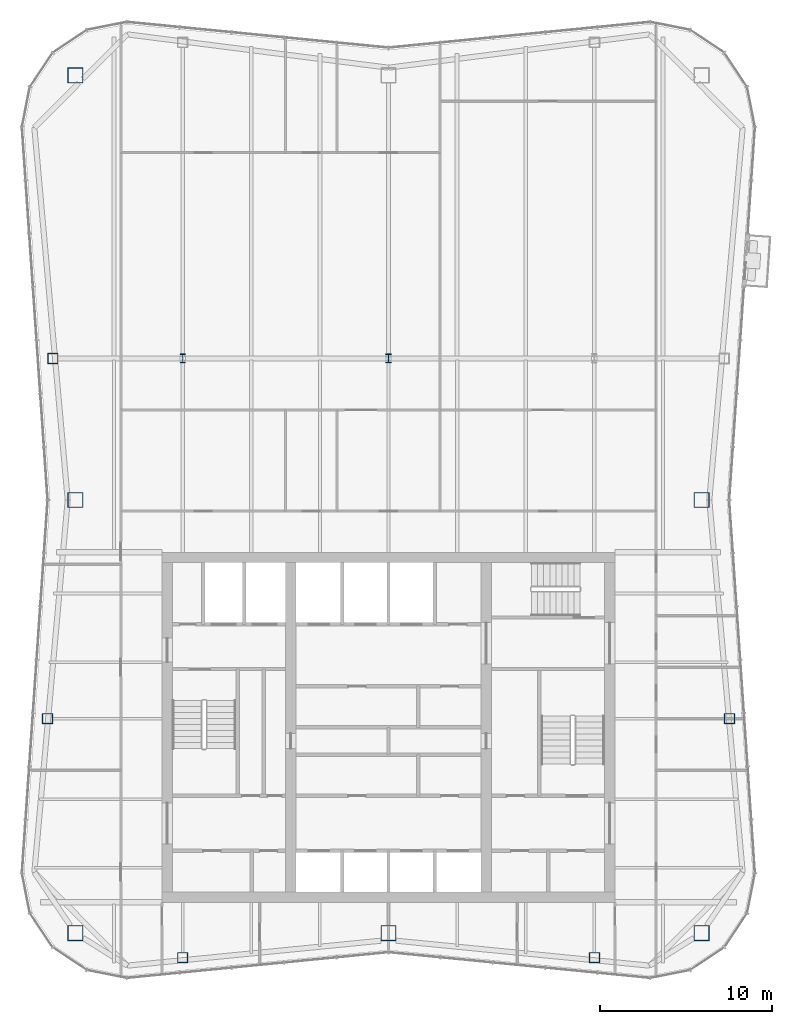
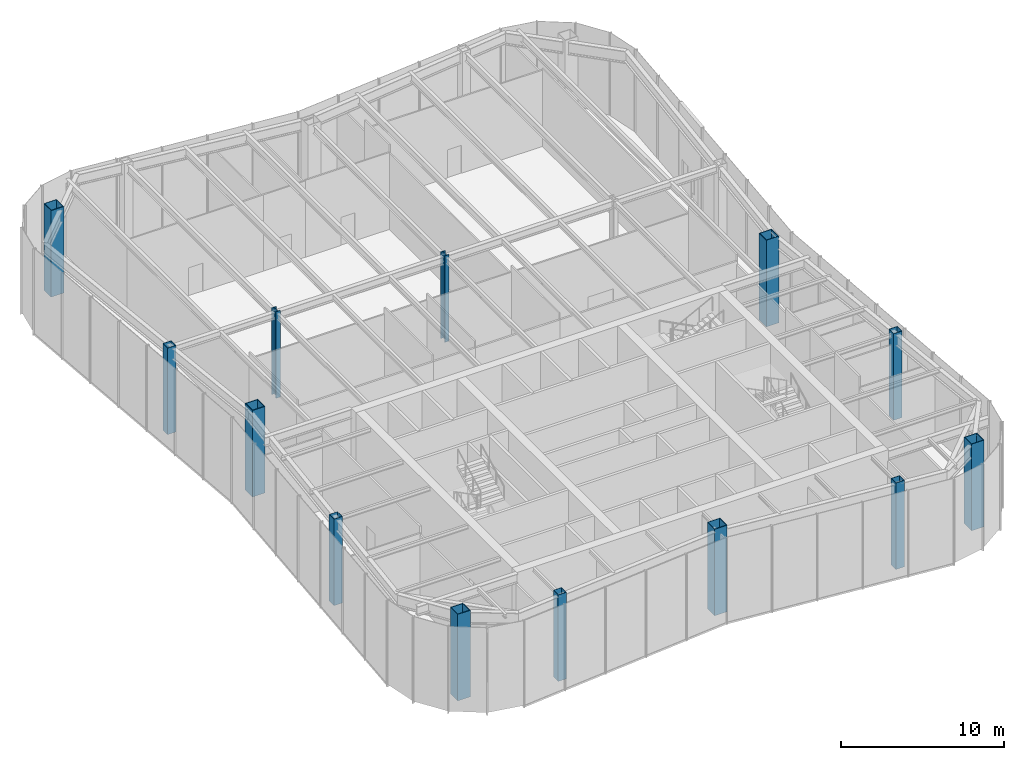
# One storey, part 1 of 15: 13 columns.
"""IFC4 building model written with IfcOpenShell, lengths in metres."""

from ifc_helpers import new_model, si_unit, direction, frame, origin, origin_2d, place, context, subcontext, project, spatial, hollow_rectangle, i_section, extrude, material, material_profile, profile_set, type_object, element, save


model = new_model("IFC4")

# Units and contexts
model_context = context("Model", 3, precision=1e-05, world=origin(), true_north=direction((0.0, 1.0)))
body_context = subcontext(model_context, "Body", "Model", "MODEL_VIEW")
ifc_project = project(units=[si_unit("LENGTHUNIT", "METRE"), si_unit("AREAUNIT", "SQUARE_METRE"), si_unit("VOLUMEUNIT", "CUBIC_METRE"), si_unit("PLANEANGLEUNIT", "RADIAN"), si_unit("MASSUNIT", "GRAM", prefix="KILO")], contexts=[model_context])

# Site, building, storey
site_placement = place(None, origin())
site = spatial("IfcSite", under=ifc_project, at=site_placement, CompositionType="ELEMENT")
building_placement = place(site_placement, origin())
building = spatial("IfcBuilding", under=site, at=building_placement, Name="Verdant Reach Tower", CompositionType="ELEMENT")
storey_placement = place(building_placement, frame((0.0, 0.0, 334.0)))
storey = spatial("IfcBuildingStorey", under=building, at=storey_placement, Name="L77", CompositionType="ELEMENT", Elevation=334.0)

# Columns
ifc_material = material(Name="Steel S460", Category="steel")
ifc_material_profile_1 = material_profile(ifc_material, i_section(OverallWidth=0.305908203125, OverallDepth=0.52392578125, WebThickness=0.012451171875, FlangeThickness=0.0400390625, FilletRadius=0.027099609375, at=origin_2d()), Name="HEM 500")
ifc_profile_set_1 = profile_set([ifc_material_profile_1], Name="Steel S460")
column_type_1 = type_object("IfcColumnType", Name="ST-COL-HEM500", PredefinedType="COLUMN", material=ifc_profile_set_1)
for number, where, z_axis, x_axis, name in (
    (1, (-12.0, 49.5, 0.0), (0.0, 0.0, 1.0), (1.0, 0.0, 0.0), "Interior column 1, L77"),
    (2, (0.0, 49.5, 0.0), (0.0, 0.0, 1.0), (1.0, 0.0, 0.0), "Interior column 2, L77"),
):
    element("IfcColumn", number, at=place(storey_placement, frame(where, z_axis=z_axis, x_axis=x_axis)), inside=storey, type_object=column_type_1, Name=name, PredefinedType="COLUMN", context=body_context, shape_type="SweptSolid", body=[
        extrude(i_section(OverallWidth=0.305908203125, OverallDepth=0.52392578125, WebThickness=0.012451171875, FlangeThickness=0.0400390625, FilletRadius=0.027099609375, at=origin_2d()), origin(), (0.0, 0.0, 1.0), 6.5),
    ])
ifc_material_profile_2 = material_profile(ifc_material, hollow_rectangle(XDim=0.60009765625, YDim=0.60009765625, WallThickness=0.02490234375, at=origin_2d()), Name="WB 600x600x25")
ifc_profile_set_2 = profile_set([ifc_material_profile_2], Name="Steel S460")
column_type_2 = type_object("IfcColumnType", Name="ST-COL-WB600x600x25", PredefinedType="COLUMN", material=ifc_profile_set_2)
for number, where, z_axis, x_axis, name in (
    (3, (-12.0, 14.569580078125, 0.0), (0.0, 0.0, 1.0), (1.0, 0.0, 0.0), "Perimeter column south 1, L77"),
    (4, (12.0, 14.569580078125, 0.0), (0.0, 0.0, 1.0), (1.0, 0.0, 0.0), "Perimeter column south 2, L77"),
    (5, (19.87939453125, 28.5, 0.0), (0.0, 0.0, 1.0), (1.0, 0.0, 0.0), "Perimeter column east 1, L77"),
    (6, (-19.87939453125, 28.5, 0.0), (0.0, 0.0, 1.0), (1.0, 0.0, 0.0), "Perimeter column west 1, L77"),
    (7, (-19.569091796875, 49.5, 0.0), (0.0, 0.0, 1.0), (1.0, 0.0, 0.0), "Perimeter column west 2, L77"),
):
    element("IfcColumn", number, at=place(storey_placement, frame(where, z_axis=z_axis, x_axis=x_axis)), inside=storey, type_object=column_type_2, Name=name, PredefinedType="COLUMN", context=body_context, shape_type="SweptSolid", body=[
        extrude(hollow_rectangle(XDim=0.60009765625, YDim=0.60009765625, WallThickness=0.02490234375, at=origin_2d()), origin(), (0.0, 0.0, 1.0), 6.5),
    ])
ifc_material_profile_3 = material_profile(ifc_material, hollow_rectangle(XDim=0.89990234375, YDim=0.89990234375, WallThickness=0.0400390625, at=origin_2d()), Name="WB 900x900x40")
ifc_profile_set_3 = profile_set([ifc_material_profile_3], Name="Steel S460")
column_type_3 = type_object("IfcColumnType", Name="ST-COL-WB900x900x40", PredefinedType="COLUMN", material=ifc_profile_set_3)
for number, where, z_axis, x_axis, name in (
    (8, (-18.25, 66.0, 0.0), (0.0, 0.0, 1.0), (1.0, 0.0, 0.0), "Mega column north-west, L77"),
    (9, (18.25, 41.25, 0.0), (0.0, 0.0, 1.0), (1.0, 0.0, 0.0), "Mega column east, L77"),
    (10, (18.25, 16.0, 0.0), (0.0, 0.0, 1.0), (1.0, 0.0, 0.0), "Mega column south-east, L77"),
    (11, (0.0, 16.0, 0.0), (0.0, 0.0, 1.0), (1.0, 0.0, 0.0), "Mega column south, L77"),
    (12, (-18.25, 16.0, 0.0), (0.0, 0.0, 1.0), (1.0, 0.0, 0.0), "Mega column south-west, L77"),
    (13, (-18.25, 41.25, 0.0), (0.0, 0.0, 1.0), (1.0, 0.0, 0.0), "Mega column west, L77"),
):
    element("IfcColumn", number, at=place(storey_placement, frame(where, z_axis=z_axis, x_axis=x_axis)), inside=storey, type_object=column_type_3, Name=name, PredefinedType="COLUMN", context=body_context, shape_type="SweptSolid", body=[
        extrude(hollow_rectangle(XDim=0.89990234375, YDim=0.89990234375, WallThickness=0.0400390625, at=origin_2d()), origin(), (0.0, 0.0, 1.0), 6.5),
    ])

save(model, "model.ifc")
